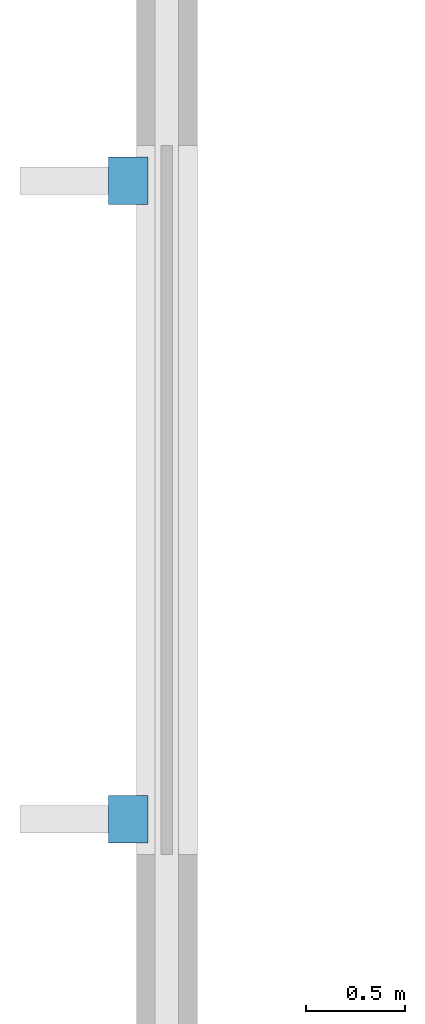
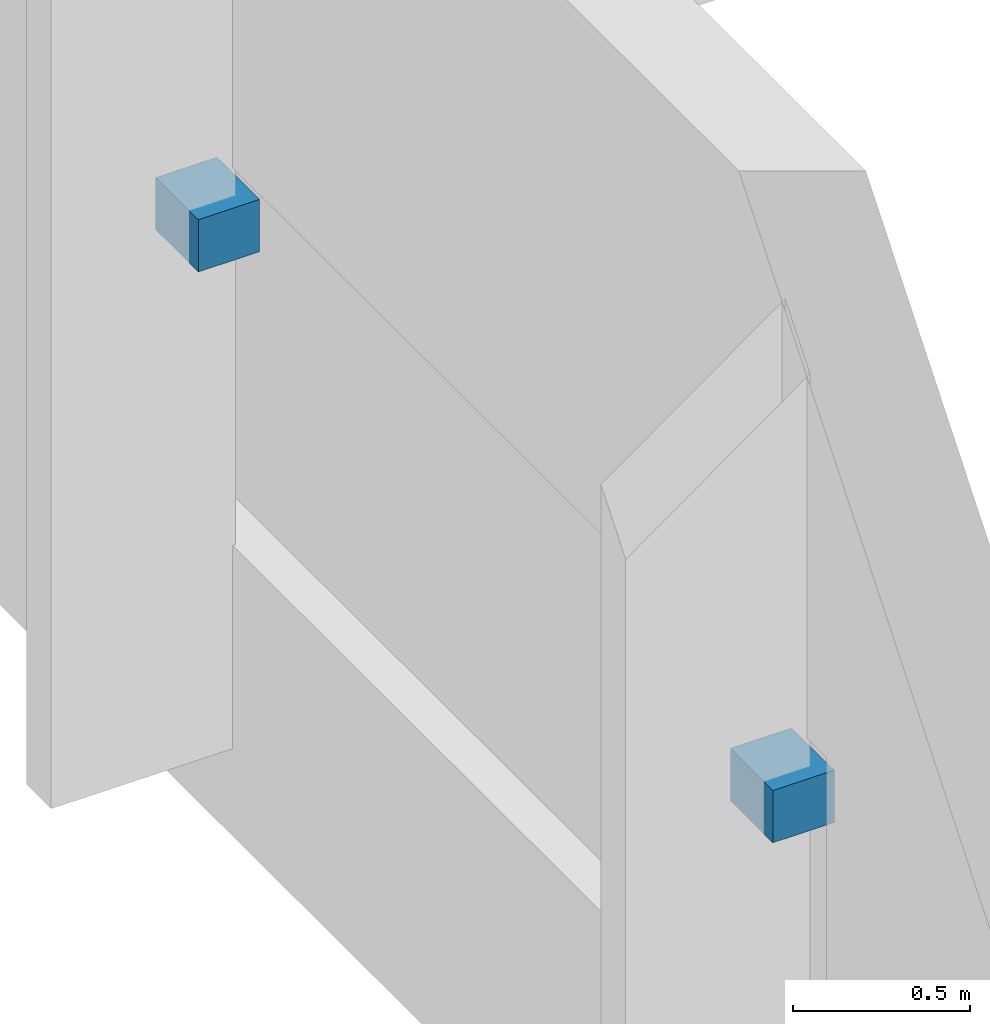
# One storey, part 150 of 167: 2 discrete accessories.
"""IFC4 building model written with IfcOpenShell, lengths in metres."""

from ifc_helpers import new_model, si_unit, direction, frame, origin, origin_2d, place, context, subcontext, project, spatial, rectangle, extrude, material, layer, layer_set, type_object, element, save


model = new_model("IFC4")

# Units and contexts
model_context = context("Model", 3, precision=1e-05, world=origin(), true_north=direction((0.0, 1.0)))
body_context = subcontext(model_context, "Body", "Model", "MODEL_VIEW")
ifc_project = project(units=[si_unit("LENGTHUNIT", "METRE"), si_unit("AREAUNIT", "SQUARE_METRE"), si_unit("VOLUMEUNIT", "CUBIC_METRE"), si_unit("PLANEANGLEUNIT", "RADIAN"), si_unit("MASSUNIT", "GRAM", prefix="KILO")], contexts=[model_context])

# Site, building, storey
site_placement = place(None, origin())
site = spatial("IfcSite", under=ifc_project, at=site_placement, CompositionType="ELEMENT")
building_placement = place(site_placement, origin())
building = spatial("IfcBuilding", under=site, at=building_placement, Name="Dornveld Trade and Exhibition Forum", CompositionType="ELEMENT")
storey_placement = place(building_placement, frame((0.0, 0.0, 16.800048828125)))
storey = spatial("IfcBuildingStorey", under=building, at=storey_placement, Name="L03", CompositionType="ELEMENT", Elevation=16.800048828125)

# Discrete accessories
ifc_material = material(Name="Steel S355J2", Category="steel")
ifc_layer = layer(ifc_material, 0.179931640625)
ifc_layer_set = layer_set([ifc_layer], Name="Steel S355J2")
discrete_accessory_type = type_object("IfcDiscreteAccessoryType", Name="ACC-BRK-STL", PredefinedType="BRACKET", material=ifc_layer_set)
for number, where, z_axis, x_axis, name in (
    (1, (26.804931640625, 132.1201171875, 2.02001953125), (0.0, 0.0, 1.0), (0.0, -1.0, 0.0), "L03 solar fin bracket 97"),
    (2, (26.804931640625, 128.8798828125, 2.02001953125), (0.0, 0.0, 1.0), (0.0, -1.0, 0.0), "L03 solar fin bracket 98"),
):
    element("IfcDiscreteAccessory", number, at=place(storey_placement, frame(where, z_axis=z_axis, x_axis=x_axis)), inside=storey, type_object=discrete_accessory_type, Name=name, PredefinedType="BRACKET", context=body_context, shape_type="SweptSolid", body=[
        extrude(rectangle(XDim=0.239990234375, YDim=0.199951171875, at=origin_2d()), origin(), (0.0, 0.0, 1.0), 0.179931640625),
    ])

save(model, "model.ifc")
